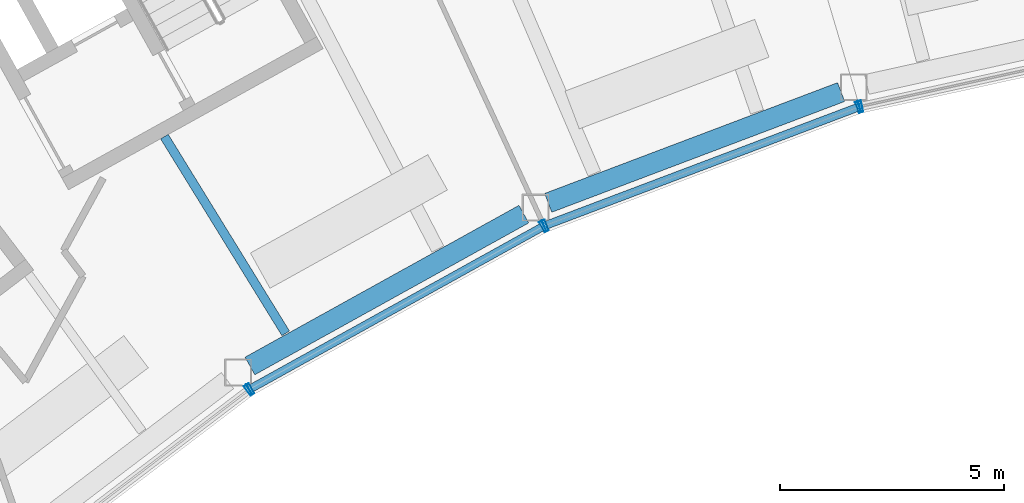
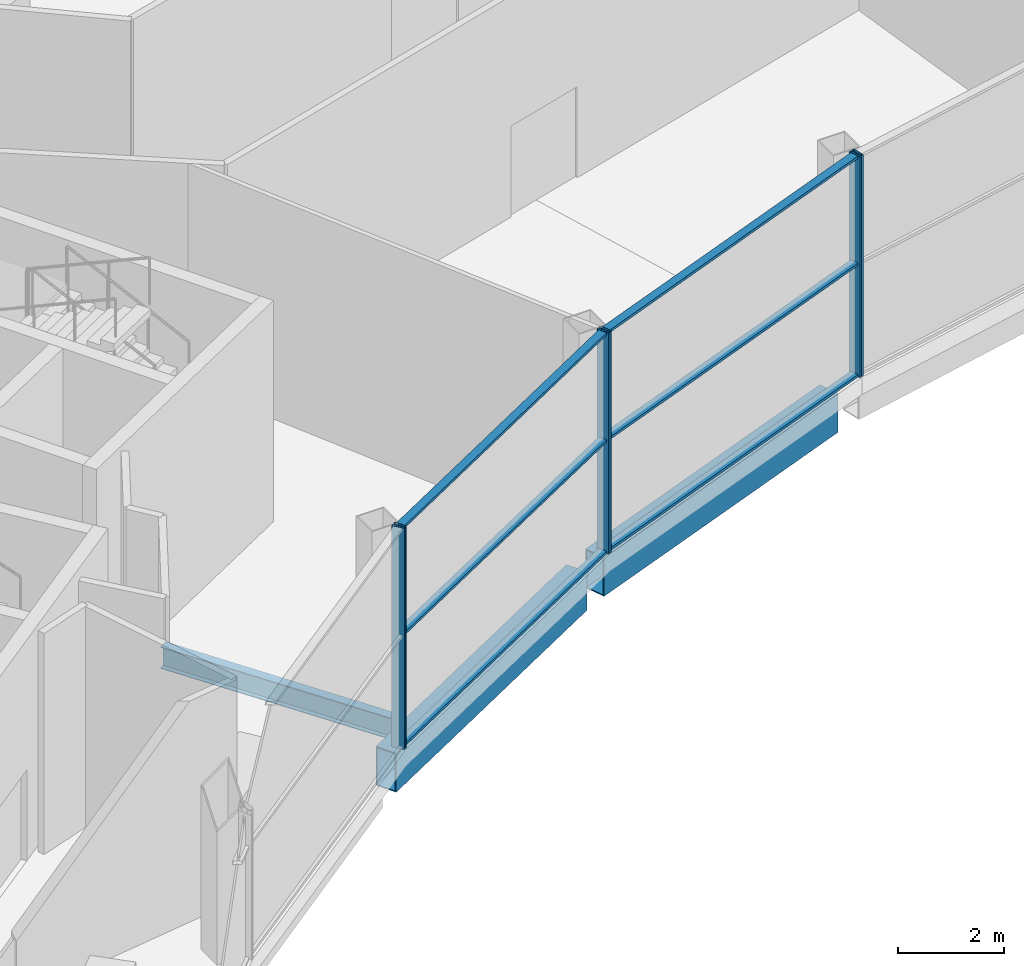
# One storey, part 11 of 43: 12 members, 3 beams, 4 elements without a shape of their own.
"""IFC4 building model written with IfcOpenShell, lengths in metres."""

from ifc_helpers import new_model, si_unit, direction, frame, origin, origin_2d, place, context, subcontext, project, spatial, hollow_rectangle, i_section, extrude, material, layer, layer_set, material_profile, profile_set, type_object, element, aggregate, save


model = new_model("IFC4")

# Units and contexts
model_context = context("Model", 3, precision=1e-05, world=origin(), true_north=direction((0.0, 1.0)))
body_context = subcontext(model_context, "Body", "Model", "MODEL_VIEW")
ifc_project = project(units=[si_unit("LENGTHUNIT", "METRE"), si_unit("AREAUNIT", "SQUARE_METRE"), si_unit("VOLUMEUNIT", "CUBIC_METRE"), si_unit("PLANEANGLEUNIT", "RADIAN"), si_unit("MASSUNIT", "GRAM", prefix="KILO")], contexts=[model_context])

# Site, building, storey
site_placement = place(None, origin())
site = spatial("IfcSite", under=ifc_project, at=site_placement, CompositionType="ELEMENT")
building_placement = place(site_placement, origin())
building = spatial("IfcBuilding", under=site, at=building_placement, Name="Tuul Gate Civic Tower", CompositionType="ELEMENT")
storey_placement = place(building_placement, frame((0.0, 0.0, 349.10009765625)))
storey = spatial("IfcBuildingStorey", under=building, at=storey_placement, Name="Observation level 1", CompositionType="ELEMENT", Elevation=349.10009765625)

# Curtain wall, member
ifc_material_1 = material(Name="Stainless steel", Category="steel")
ifc_layer = layer(ifc_material_1, 0.199951171875)
ifc_layer_set = layer_set([ifc_layer], Name="Stainless steel")
curtain_wall_type = type_object("IfcCurtainWallType", Name="Curtain wall CW4", PredefinedType="NOTDEFINED", material=ifc_layer_set)
curtain_wall_1_placement = place(storey_placement, origin())
curtain_wall_1 = element("IfcCurtainWall", 1, at=curtain_wall_1_placement, inside=storey, type_object=curtain_wall_type, Name="Curtain wall CW4", PredefinedType="NOTDEFINED")
ifc_material_2 = material(Name="Stainless steel", Category="steel")
ifc_material_profile_1 = material_profile(ifc_material_2, hollow_rectangle(XDim=0.260009765625, YDim=0.06005859375, WallThickness=0.006103515625, at=origin_2d()), Name="CW4 mullion")
ifc_profile_set_1 = profile_set([ifc_material_profile_1], Name="Stainless steel")
member_type_1 = type_object("IfcMemberType", Name="CW4 mullion", PredefinedType="MULLION", material=ifc_profile_set_1)
member_1_placement = place(storey_placement, frame((-26.311767578125, -16.47216796875, 0.0), z_axis=(0.0, 0.0, 1.0), x_axis=(-0.605851052715, 0.795578092914, 0.0)))
member_1 = element("IfcMember", 2, at=member_1_placement, type_object=member_type_1, Name="Mullion", PredefinedType="MULLION", context=body_context, shape_type="SweptSolid", body=[
    extrude(hollow_rectangle(XDim=0.260009765625, YDim=0.06005859375, WallThickness=0.006103515625, at=origin_2d()), origin(), (0.0, 0.0, 1.0), 5.099853515625),
])
aggregate(curtain_wall_1, [member_1])

# Curtain wall, members
curtain_wall_2_placement = place(storey_placement, origin())
curtain_wall_2 = element("IfcCurtainWall", 3, at=curtain_wall_2_placement, inside=storey, type_object=curtain_wall_type, Name="Curtain wall CW4", PredefinedType="NOTDEFINED")
member_2_placement = place(storey_placement, frame((-26.26171875, -16.439453125, 0.0), z_axis=(0.0, 0.0, 1.0), x_axis=(-0.48480794476, 0.874620635875, 0.0)))
member_2 = element("IfcMember", 4, at=member_2_placement, type_object=member_type_1, Name="Mullion", PredefinedType="MULLION", context=body_context, shape_type="SweptSolid", body=[
    extrude(hollow_rectangle(XDim=0.260009765625, YDim=0.06005859375, WallThickness=0.006103515625, at=origin_2d()), origin(), (0.0, 0.0, 1.0), 5.099853515625),
])
member_3_placement = place(storey_placement, frame((-19.731201171875, -12.819580078125, 0.0), z_axis=(0.0, 0.0, 1.0), x_axis=(-0.48480794476, 0.874620635875, 0.0)))
member_3 = element("IfcMember", 5, at=member_3_placement, type_object=member_type_1, Name="Mullion", PredefinedType="MULLION", context=body_context, shape_type="SweptSolid", body=[
    extrude(hollow_rectangle(XDim=0.260009765625, YDim=0.06005859375, WallThickness=0.006103515625, at=origin_2d()), origin(), (0.0, 0.0, 1.0), 5.099853515625),
])

curtain_wall_3_placement = place(storey_placement, origin())
curtain_wall_3 = element("IfcCurtainWall", 6, at=curtain_wall_3_placement, inside=storey, type_object=curtain_wall_type, Name="Curtain wall CW4", PredefinedType="NOTDEFINED")
member_4_placement = place(storey_placement, frame((-19.677001953125, -12.79443359375, 0.0), z_axis=(0.0, 0.0, 1.0), x_axis=(-0.353684769481, 0.935364679597, 0.0)))
member_4 = element("IfcMember", 7, at=member_4_placement, type_object=member_type_1, Name="Mullion", PredefinedType="MULLION", context=body_context, shape_type="SweptSolid", body=[
    extrude(hollow_rectangle(XDim=0.260009765625, YDim=0.06005859375, WallThickness=0.006103515625, at=origin_2d()), origin(), (0.0, 0.0, 1.0), 5.099853515625),
])
member_5_placement = place(storey_placement, frame((-12.693115234375, -10.153564453125, 0.0), z_axis=(0.0, 0.0, 1.0), x_axis=(-0.353684769481, 0.935364679597, 0.0)))
member_5 = element("IfcMember", 8, at=member_5_placement, type_object=member_type_1, Name="Mullion", PredefinedType="MULLION", context=body_context, shape_type="SweptSolid", body=[
    extrude(hollow_rectangle(XDim=0.260009765625, YDim=0.06005859375, WallThickness=0.006103515625, at=origin_2d()), origin(), (0.0, 0.0, 1.0), 5.099853515625),
])

# Curtain wall, member
curtain_wall_4_placement = place(storey_placement, origin())
curtain_wall_4 = element("IfcCurtainWall", 9, at=curtain_wall_4_placement, inside=storey, type_object=curtain_wall_type, Name="Curtain wall CW4", PredefinedType="NOTDEFINED")
member_6_placement = place(storey_placement, frame((-12.6357421875, -10.136474609375, 0.0), z_axis=(0.0, 0.0, 1.0), x_axis=(-0.215241961183, 0.976560749849, 0.0)))
member_6 = element("IfcMember", 10, at=member_6_placement, type_object=member_type_1, Name="Mullion", PredefinedType="MULLION", context=body_context, shape_type="SweptSolid", body=[
    extrude(hollow_rectangle(XDim=0.260009765625, YDim=0.06005859375, WallThickness=0.006103515625, at=origin_2d()), origin(), (0.0, 0.0, 1.0), 5.099853515625),
])
aggregate(curtain_wall_4, [member_6])

# Member
ifc_material_3 = material(Name="Stainless steel", Category="steel")
ifc_material_profile_2 = material_profile(ifc_material_3, hollow_rectangle(XDim=0.179931640625, YDim=0.06005859375, WallThickness=0.006103515625, at=origin_2d()), Name="CW4 transom")
ifc_profile_set_2 = profile_set([ifc_material_profile_2], Name="Stainless steel")
member_type_2 = type_object("IfcMemberType", Name="CW4 transom", PredefinedType="USERDEFINED", material=ifc_profile_set_2)
member_7_placement = place(storey_placement, frame((-26.235595703125, -16.4248046875, 0.02978515625), z_axis=(0.874620215492, 0.484808703153, 0.0), x_axis=(-0.484808703153, 0.874620215492, 0.0)))
member_7 = element("IfcMember", 11, at=member_7_placement, type_object=member_type_2, Name="Transom", ObjectType="TRANSOM", PredefinedType="USERDEFINED", context=body_context, shape_type="SweptSolid", body=[
    extrude(hollow_rectangle(XDim=0.179931640625, YDim=0.06005859375, WallThickness=0.006103515625, at=origin_2d()), origin(), (0.0, 0.0, 1.0), 7.40673828125),
])

member_8_placement = place(storey_placement, frame((-26.235595703125, -16.4248046875, 2.599853515625), z_axis=(0.874620215492, 0.484808703153, 0.0), x_axis=(-0.484808703153, 0.874620215492, 0.0)))
member_8 = element("IfcMember", 12, at=member_8_placement, type_object=member_type_2, Name="Transom", ObjectType="TRANSOM", PredefinedType="USERDEFINED", context=body_context, shape_type="SweptSolid", body=[
    extrude(hollow_rectangle(XDim=0.179931640625, YDim=0.06005859375, WallThickness=0.006103515625, at=origin_2d()), origin(), (0.0, 0.0, 1.0), 7.40673828125),
])

member_9_placement = place(storey_placement, frame((-26.235595703125, -16.4248046875, 5.06982421875), z_axis=(0.874620215492, 0.484808703153, 0.0), x_axis=(-0.484808703153, 0.874620215492, 0.0)))
member_9 = element("IfcMember", 13, at=member_9_placement, type_object=member_type_2, Name="Transom", ObjectType="TRANSOM", PredefinedType="USERDEFINED", context=body_context, shape_type="SweptSolid", body=[
    extrude(hollow_rectangle(XDim=0.179931640625, YDim=0.06005859375, WallThickness=0.006103515625, at=origin_2d()), origin(), (0.0, 0.0, 1.0), 7.40673828125),
])

aggregate(curtain_wall_2, [member_2, member_3, member_7, member_8, member_9])

member_10_placement = place(storey_placement, frame((-19.64892578125, -12.78369140625, 0.02978515625), z_axis=(0.935372040354, 0.353665302402, 0.0), x_axis=(-0.353665302402, 0.935372040354, 0.0)))
member_10 = element("IfcMember", 14, at=member_10_placement, type_object=member_type_2, Name="Transom", ObjectType="TRANSOM", PredefinedType="USERDEFINED", context=body_context, shape_type="SweptSolid", body=[
    extrude(hollow_rectangle(XDim=0.179931640625, YDim=0.06005859375, WallThickness=0.006103515625, at=origin_2d()), origin(), (0.0, 0.0, 1.0), 7.406494140625),
])

member_11_placement = place(storey_placement, frame((-19.64892578125, -12.78369140625, 2.599853515625), z_axis=(0.935372040354, 0.353665302402, 0.0), x_axis=(-0.353665302402, 0.935372040354, 0.0)))
member_11 = element("IfcMember", 15, at=member_11_placement, type_object=member_type_2, Name="Transom", ObjectType="TRANSOM", PredefinedType="USERDEFINED", context=body_context, shape_type="SweptSolid", body=[
    extrude(hollow_rectangle(XDim=0.179931640625, YDim=0.06005859375, WallThickness=0.006103515625, at=origin_2d()), origin(), (0.0, 0.0, 1.0), 7.406494140625),
])

member_12_placement = place(storey_placement, frame((-19.64892578125, -12.78369140625, 5.06982421875), z_axis=(0.935372040354, 0.353665302402, 0.0), x_axis=(-0.353665302402, 0.935372040354, 0.0)))
member_12 = element("IfcMember", 16, at=member_12_placement, type_object=member_type_2, Name="Transom", ObjectType="TRANSOM", PredefinedType="USERDEFINED", context=body_context, shape_type="SweptSolid", body=[
    extrude(hollow_rectangle(XDim=0.179931640625, YDim=0.06005859375, WallThickness=0.006103515625, at=origin_2d()), origin(), (0.0, 0.0, 1.0), 7.406494140625),
])

aggregate(curtain_wall_3, [member_4, member_5, member_10, member_11, member_12])

# Beams
ifc_material_4 = material(Name="Steel S355", Category="steel")
ifc_material_profile_3 = material_profile(ifc_material_4, i_section(OverallWidth=0.199951171875, OverallDepth=0.5, WebThickness=0.010009765625, FlangeThickness=0.01611328125, at=origin_2d()), Name="PG500x200x10x16")
ifc_profile_set_3 = profile_set([ifc_material_profile_3], Name="Steel S355")
beam_type_1 = type_object("IfcBeamType", Name="STR-FLOOR BEAM-PG500x200x10x16", PredefinedType="BEAM", material=ifc_profile_set_3)
beam_1_placement = place(storey_placement, frame((-25.47412109375, -15.2021484375, -0.650146484375), z_axis=(-0.524854989159, 0.851191659002, 0.0), x_axis=(-0.851191659002, -0.524854989159, 0.0)))
element("IfcBeam", 17, at=beam_1_placement, inside=storey, type_object=beam_type_1, Name="Floor beam", PredefinedType="BEAM", context=body_context, shape_type="SweptSolid", body=[
    extrude(i_section(OverallWidth=0.199951171875, OverallDepth=0.5, WebThickness=0.010009765625, FlangeThickness=0.01611328125, at=origin_2d()), origin(), (0.0, 0.0, 1.0), 5.1591796875),
])
ifc_material_5 = material(Name="Steel S355", Category="steel")
ifc_material_profile_4 = material_profile(ifc_material_5, hollow_rectangle(XDim=0.449951171875, YDim=0.89990234375, WallThickness=0.02490234375, at=origin_2d()), Name="BOX900x450x25")
ifc_profile_set_4 = profile_set([ifc_material_profile_4], Name="Steel S355")
beam_type_2 = type_object("IfcBeamType", Name="STR-SPANDREL BEAM-BOX900x450x25", PredefinedType="BEAM", material=ifc_profile_set_4)
beam_2_placement = place(storey_placement, frame((-26.272705078125, -15.9306640625, -0.85009765625), z_axis=(0.874654250386, 0.484747297343, 0.0), x_axis=(-0.484747297343, 0.874654250386, 0.0)))
element("IfcBeam", 18, at=beam_2_placement, inside=storey, type_object=beam_type_2, Name="Spandrel beam", PredefinedType="BEAM", context=body_context, shape_type="SweptSolid", body=[
    extrude(hollow_rectangle(XDim=0.449951171875, YDim=0.89990234375, WallThickness=0.02490234375, at=origin_2d()), origin(), (0.0, 0.0, 1.0), 6.99169921875),
])
beam_3_placement = place(storey_placement, frame((-19.614501953125, -12.289794921875, -0.85009765625), z_axis=(0.93532810698, 0.35378147534, 0.0), x_axis=(-0.35378147534, 0.93532810698, 0.0)))
element("IfcBeam", 19, at=beam_3_placement, inside=storey, type_object=beam_type_2, Name="Spandrel beam", PredefinedType="BEAM", context=body_context, shape_type="SweptSolid", body=[
    extrude(hollow_rectangle(XDim=0.449951171875, YDim=0.89990234375, WallThickness=0.02490234375, at=origin_2d()), origin(), (0.0, 0.0, 1.0), 6.991943359375),
])

save(model, "model.ifc")
